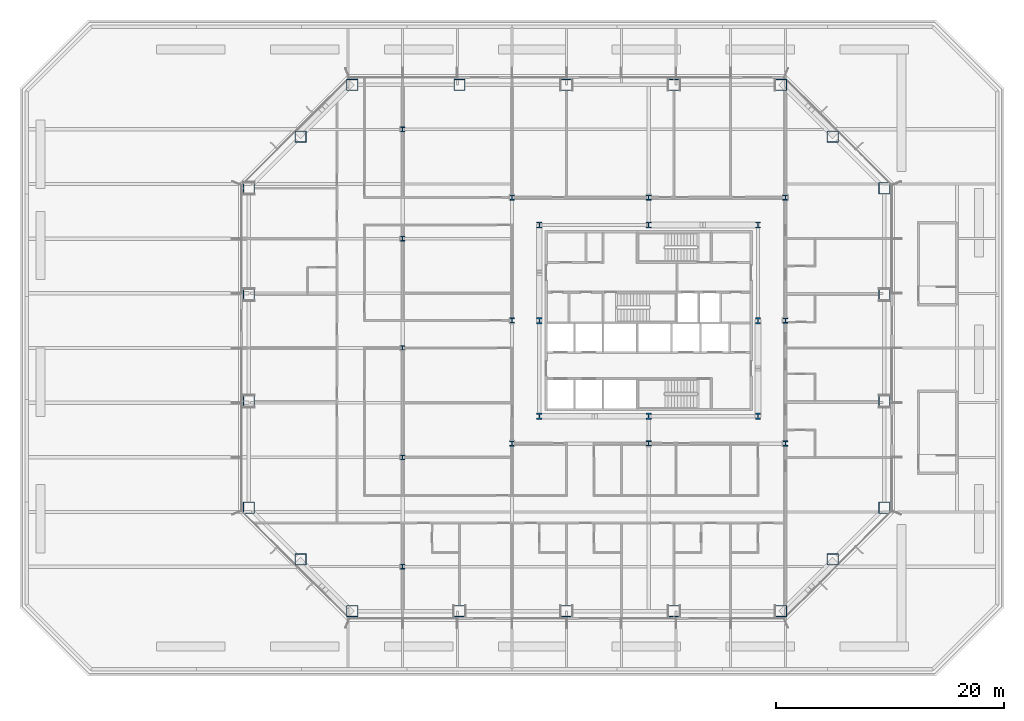
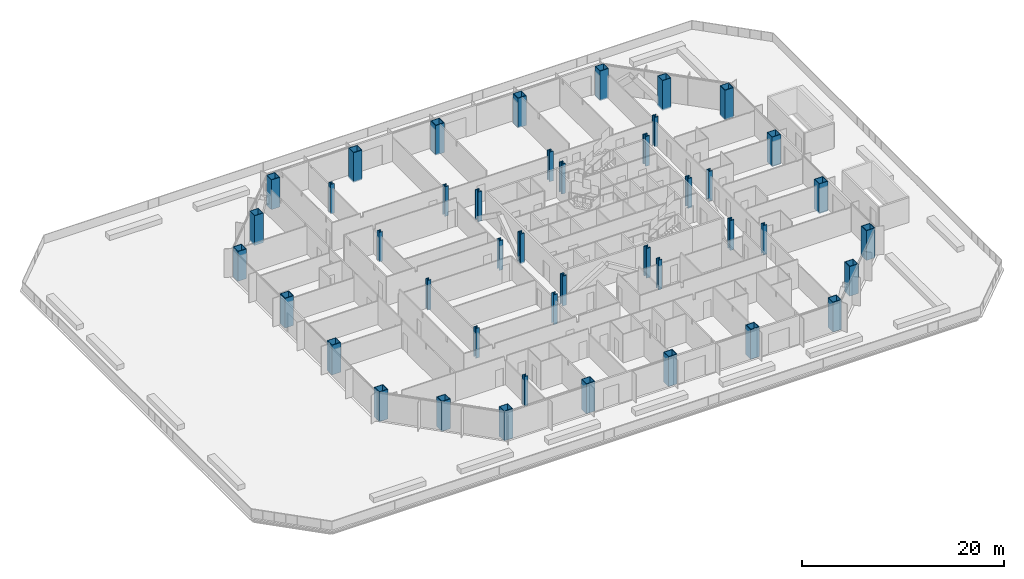
# One storey, part 1 of 18: 43 columns.
"""IFC4 building model written with IfcOpenShell, lengths in metres."""

from ifc_helpers import new_model, si_unit, direction, frame, origin, origin_2d, place, context, subcontext, project, spatial, hollow_rectangle, i_section, extrude, material, material_profile, profile_set, type_object, element, save


model = new_model("IFC4")

# Units and contexts
model_context = context("Model", 3, precision=1e-05, world=origin(), true_north=direction((0.0, 1.0)))
body_context = subcontext(model_context, "Body", "Model", "MODEL_VIEW")
ifc_project = project(units=[si_unit("LENGTHUNIT", "METRE"), si_unit("AREAUNIT", "SQUARE_METRE"), si_unit("VOLUMEUNIT", "CUBIC_METRE"), si_unit("PLANEANGLEUNIT", "RADIAN"), si_unit("MASSUNIT", "GRAM", prefix="KILO")], contexts=[model_context])

# Site, building, storey
site_placement = place(None, origin())
site = spatial("IfcSite", under=ifc_project, at=site_placement, CompositionType="ELEMENT")
building_placement = place(site_placement, origin())
building = spatial("IfcBuilding", under=site, at=building_placement, Name="Cairn Pilgrim Tower", CompositionType="ELEMENT")
storey_placement = place(building_placement, frame((0.0, 0.0, 40.199951171875)))
storey = spatial("IfcBuildingStorey", under=building, at=storey_placement, Name="L07", CompositionType="ELEMENT", Elevation=40.199951171875)

# Columns
ifc_material = material(Name="Structural steel S460M", Category="steel")
ifc_material_profile_1 = material_profile(ifc_material, hollow_rectangle(XDim=1.0, YDim=1.0, WallThickness=0.06005859375, at=origin_2d()), Name="BOX 1000x1000x60")
ifc_profile_set_1 = profile_set([ifc_material_profile_1], Name="Structural steel S460M")
column_type_1 = type_object("IfcColumnType", Name="BOX 1000x1000x60", PredefinedType="COLUMN", material=ifc_profile_set_1)
for number, where, z_axis, x_axis, name in (
    (1, (-18.8271484375, -23.10009765625, -0.14990234375), (0.0, 0.0, 1.0), (1.0, 0.0, 0.0), "PC1-S1"),
    (2, (-9.41357421875, -23.10009765625, -0.14990234375), (0.0, 0.0, 1.0), (1.0, 0.0, 0.0), "PC1-S2"),
    (3, (0.0, -23.10009765625, -0.14990234375), (0.0, 0.0, 1.0), (1.0, 0.0, 0.0), "PC1-S3"),
    (4, (9.41357421875, -23.10009765625, -0.14990234375), (0.0, 0.0, 1.0), (1.0, 0.0, 0.0), "PC1-S4"),
    (5, (18.8271484375, -23.10009765625, -0.14990234375), (0.0, 0.0, 1.0), (1.0, 0.0, 0.0), "PC1-SE1"),
    (6, (23.363525390625, -18.563720703125, -0.14990234375), (0.0, 0.0, 1.0), (1.0, 0.0, 0.0), "PC1-SE2"),
    (7, (27.89990234375, -14.027099609375, -0.14990234375), (0.0, 0.0, 1.0), (1.0, 0.0, 0.0), "PC1-E1"),
    (8, (27.89990234375, -4.67578125, -0.14990234375), (0.0, 0.0, 1.0), (1.0, 0.0, 0.0), "PC1-E2"),
    (9, (27.89990234375, 4.67578125, -0.14990234375), (0.0, 0.0, 1.0), (1.0, 0.0, 0.0), "PC1-E3"),
    (10, (27.89990234375, 14.027099609375, -0.14990234375), (0.0, 0.0, 1.0), (1.0, 0.0, 0.0), "PC1-NE1"),
    (11, (23.363525390625, 18.563720703125, -0.14990234375), (0.0, 0.0, 1.0), (1.0, 0.0, 0.0), "PC1-NE2"),
    (12, (18.8271484375, 23.10009765625, -0.14990234375), (0.0, 0.0, 1.0), (1.0, 0.0, 0.0), "PC1-N1"),
    (13, (9.41357421875, 23.10009765625, -0.14990234375), (0.0, 0.0, 1.0), (1.0, 0.0, 0.0), "PC1-N2"),
    (14, (0.0, 23.10009765625, -0.14990234375), (0.0, 0.0, 1.0), (1.0, 0.0, 0.0), "PC1-N3"),
    (15, (-9.41357421875, 23.10009765625, -0.14990234375), (0.0, 0.0, 1.0), (1.0, 0.0, 0.0), "PC1-N4"),
    (16, (-18.8271484375, 23.10009765625, -0.14990234375), (0.0, 0.0, 1.0), (1.0, 0.0, 0.0), "PC1-NW1"),
    (17, (-23.363525390625, 18.563720703125, -0.14990234375), (0.0, 0.0, 1.0), (1.0, 0.0, 0.0), "PC1-NW2"),
    (18, (-27.89990234375, 14.027099609375, -0.14990234375), (0.0, 0.0, 1.0), (1.0, 0.0, 0.0), "PC1-W1"),
    (19, (-27.89990234375, 4.67578125, -0.14990234375), (0.0, 0.0, 1.0), (1.0, 0.0, 0.0), "PC1-W2"),
    (20, (-27.89990234375, -4.67578125, -0.14990234375), (0.0, 0.0, 1.0), (1.0, 0.0, 0.0), "PC1-W3"),
    (21, (-27.89990234375, -14.027099609375, -0.14990234375), (0.0, 0.0, 1.0), (1.0, 0.0, 0.0), "PC1-SW1"),
    (22, (-23.363525390625, -18.563720703125, -0.14990234375), (0.0, 0.0, 1.0), (1.0, 0.0, 0.0), "PC1-SW2"),
):
    element("IfcColumn", number, at=place(storey_placement, frame(where, z_axis=z_axis, x_axis=x_axis)), inside=storey, type_object=column_type_1, Name=name, PredefinedType="COLUMN", context=body_context, shape_type="SweptSolid", body=[
        extrude(hollow_rectangle(XDim=1.0, YDim=1.0, WallThickness=0.06005859375, at=origin_2d()), origin(), (0.0, 0.0, 1.0), 3.599853515625),
    ])
ifc_material_profile_2 = material_profile(ifc_material, i_section(OverallWidth=0.4541015625, OverallDepth=0.569091796875, WebThickness=0.077880859375, FlangeThickness=0.125, FilletRadius=0.014892578125, at=origin_2d()), Name="HD 400x1086")
ifc_profile_set_2 = profile_set([ifc_material_profile_2], Name="Structural steel S460M")
column_type_2 = type_object("IfcColumnType", Name="HD 400x1086", PredefinedType="COLUMN", material=ifc_profile_set_2)
for number, where, z_axis, x_axis, name in (
    (23, (-2.39990234375, -6.0, -0.14990234375), (0.0, 0.0, 1.0), (1.0, 0.0, 0.0), "KC-1"),
    (24, (7.199951171875, -6.0, -0.14990234375), (0.0, 0.0, 1.0), (1.0, 0.0, 0.0), "KC-2"),
    (25, (16.800048828125, -6.0, -0.14990234375), (0.0, 0.0, 1.0), (1.0, 0.0, 0.0), "KC-3"),
    (26, (-2.39990234375, 2.39990234375, -0.14990234375), (0.0, 0.0, 1.0), (1.0, 0.0, 0.0), "KC-4"),
    (27, (16.800048828125, 2.39990234375, -0.14990234375), (0.0, 0.0, 1.0), (1.0, 0.0, 0.0), "KC-5"),
    (28, (-2.39990234375, 10.800048828125, -0.14990234375), (0.0, 0.0, 1.0), (1.0, 0.0, 0.0), "KC-6"),
    (29, (7.199951171875, 10.800048828125, -0.14990234375), (0.0, 0.0, 1.0), (1.0, 0.0, 0.0), "KC-7"),
    (30, (16.800048828125, 10.800048828125, -0.14990234375), (0.0, 0.0, 1.0), (1.0, 0.0, 0.0), "KC-8"),
):
    element("IfcColumn", number, at=place(storey_placement, frame(where, z_axis=z_axis, x_axis=x_axis)), inside=storey, type_object=column_type_2, Name=name, PredefinedType="COLUMN", context=body_context, shape_type="SweptSolid", body=[
        extrude(i_section(OverallWidth=0.4541015625, OverallDepth=0.569091796875, WebThickness=0.077880859375, FlangeThickness=0.125, FilletRadius=0.014892578125, at=origin_2d()), origin(), (0.0, 0.0, 1.0), 3.599853515625),
    ])
ifc_material_profile_3 = material_profile(ifc_material, i_section(OverallWidth=0.408935546875, OverallDepth=0.425048828125, WebThickness=0.03271484375, FlangeThickness=0.052490234375, FilletRadius=0.014892578125, at=origin_2d()), Name="HD 400x421")
ifc_profile_set_3 = profile_set([ifc_material_profile_3], Name="Structural steel S460M")
column_type_3 = type_object("IfcColumnType", Name="HD 400x421", PredefinedType="COLUMN", material=ifc_profile_set_3)
for number, where, z_axis, x_axis, name in (
    (31, (-14.39990234375, -19.199951171875, -0.14990234375), (0.0, 0.0, 1.0), (1.0, 0.0, 0.0), "WC-WW-4"),
    (32, (-14.39990234375, -9.60009765625, -0.14990234375), (0.0, 0.0, 1.0), (1.0, 0.0, 0.0), "WC-WW-2"),
    (33, (-14.39990234375, 0.0, -0.14990234375), (0.0, 0.0, 1.0), (1.0, 0.0, 0.0), "WC-WW+0"),
    (34, (-14.39990234375, 9.60009765625, -0.14990234375), (0.0, 0.0, 1.0), (1.0, 0.0, 0.0), "WC-WW+2"),
    (35, (-14.39990234375, 19.199951171875, -0.14990234375), (0.0, 0.0, 1.0), (1.0, 0.0, 0.0), "WC-WW+4"),
):
    element("IfcColumn", number, at=place(storey_placement, frame(where, z_axis=z_axis, x_axis=x_axis)), inside=storey, type_object=column_type_3, Name=name, PredefinedType="COLUMN", context=body_context, shape_type="SweptSolid", body=[
        extrude(i_section(OverallWidth=0.408935546875, OverallDepth=0.425048828125, WebThickness=0.03271484375, FlangeThickness=0.052490234375, FilletRadius=0.014892578125, at=origin_2d()), origin(), (0.0, 0.0, 1.0), 3.599853515625),
    ])
ifc_material_profile_4 = material_profile(ifc_material, i_section(OverallWidth=0.424072265625, OverallDepth=0.47412109375, WebThickness=0.047607421875, FlangeThickness=0.0771484375, FilletRadius=0.014892578125, at=origin_2d()), Name="HD 400x634")
ifc_profile_set_4 = profile_set([ifc_material_profile_4], Name="Structural steel S460M")
column_type_4 = type_object("IfcColumnType", Name="HD 400x634", PredefinedType="COLUMN", material=ifc_profile_set_4)
for number, where, z_axis, x_axis, name in (
    (36, (-4.800048828125, -8.39990234375, -0.14990234375), (0.0, 0.0, 1.0), (1.0, 0.0, 0.0), "IC-1"),
    (37, (7.199951171875, -8.39990234375, -0.14990234375), (0.0, 0.0, 1.0), (1.0, 0.0, 0.0), "IC-2"),
    (38, (19.199951171875, -8.39990234375, -0.14990234375), (0.0, 0.0, 1.0), (1.0, 0.0, 0.0), "IC-3"),
    (39, (-4.800048828125, 2.39990234375, -0.14990234375), (0.0, 0.0, 1.0), (1.0, 0.0, 0.0), "IC-4"),
    (40, (19.199951171875, 2.39990234375, -0.14990234375), (0.0, 0.0, 1.0), (1.0, 0.0, 0.0), "IC-5"),
    (41, (-4.800048828125, 13.199951171875, -0.14990234375), (0.0, 0.0, 1.0), (1.0, 0.0, 0.0), "IC-6"),
    (42, (7.199951171875, 13.199951171875, -0.14990234375), (0.0, 0.0, 1.0), (1.0, 0.0, 0.0), "IC-7"),
    (43, (19.199951171875, 13.199951171875, -0.14990234375), (0.0, 0.0, 1.0), (1.0, 0.0, 0.0), "IC-8"),
):
    element("IfcColumn", number, at=place(storey_placement, frame(where, z_axis=z_axis, x_axis=x_axis)), inside=storey, type_object=column_type_4, Name=name, PredefinedType="COLUMN", context=body_context, shape_type="SweptSolid", body=[
        extrude(i_section(OverallWidth=0.424072265625, OverallDepth=0.47412109375, WebThickness=0.047607421875, FlangeThickness=0.0771484375, FilletRadius=0.014892578125, at=origin_2d()), origin(), (0.0, 0.0, 1.0), 3.599853515625),
    ])

save(model, "model.ifc")
